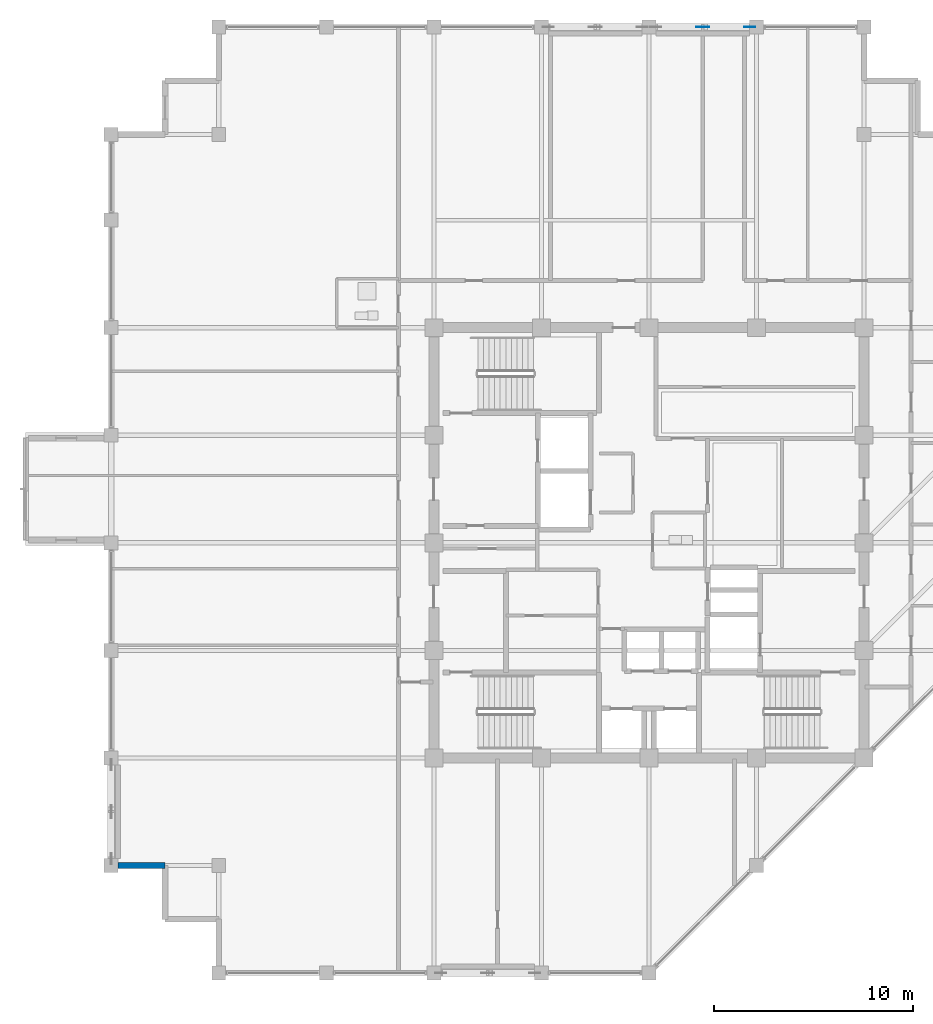
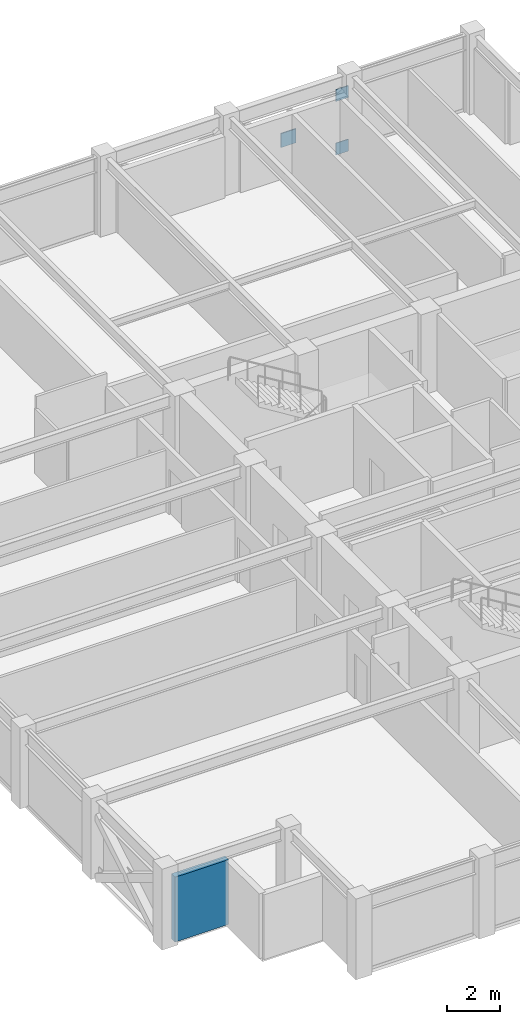
# One storey, part 24 of 31: 3 plates, 1 wall.
"""IFC4 building model written with IfcOpenShell, lengths in metres."""

from ifc_helpers import new_model, si_unit, direction, frame, frame_2d, origin, origin_2d, place, context, subcontext, project, spatial, rectangle, extrude, material, layer, layer_set, type_object, element, save


model = new_model("IFC4")

# Units and contexts
model_context = context("Model", 3, precision=1e-05, world=origin(), true_north=direction((0.0, 1.0)))
body_context = subcontext(model_context, "Body", "Model", "MODEL_VIEW")
ifc_project = project(units=[si_unit("LENGTHUNIT", "METRE"), si_unit("AREAUNIT", "SQUARE_METRE"), si_unit("VOLUMEUNIT", "CUBIC_METRE"), si_unit("PLANEANGLEUNIT", "RADIAN"), si_unit("MASSUNIT", "GRAM", prefix="KILO")], contexts=[model_context])

# Site, building, storey
site_placement = place(None, origin())
site = spatial("IfcSite", under=ifc_project, at=site_placement, CompositionType="ELEMENT")
building_placement = place(site_placement, origin())
building = spatial("IfcBuilding", under=site, at=building_placement, Name="Surkhivell Harbour Commons", CompositionType="ELEMENT")
storey_placement = place(building_placement, frame((0.0, 0.0, 318.75)))
storey = spatial("IfcBuildingStorey", under=building, at=storey_placement, Name="L83", CompositionType="ELEMENT", Elevation=318.75)

# Plates
ifc_material_1 = material(Name="Steel S460", Category="steel")
ifc_layer_1 = layer(ifc_material_1, 0.035888671875)
ifc_layer_set_1 = layer_set([ifc_layer_1], Name="Steel S460")
plate_type_1 = type_object("IfcPlateType", Name="PLT-GUS-550", PredefinedType="USERDEFINED", material=ifc_layer_set_1)
for number, where, z_axis, x_axis, name in (
    (1, (5.06494140625, 25.89990234375, -0.07470703125), (0.0, 0.0, 1.0), (1.0, 0.0, 0.0), "L83 Perimeter Mega-Brace MB- Corner Gusset N2-2"),
    (2, (5.06494140625, 25.89990234375, 2.41357421875), (0.0, 0.0, 1.0), (1.0, 0.0, 0.0), "L83 Perimeter Mega-Brace MB- Corner Gusset N2-4"),
):
    element("IfcPlate", number, at=place(storey_placement, frame(where, z_axis=z_axis, x_axis=x_axis)), inside=storey, type_object=plate_type_1, Name=name, ObjectType="GUSSET_PLATE", PredefinedType="USERDEFINED", context=body_context, shape_type="SweptSolid", body=[
        extrude(rectangle(XDim=0.550048828125, YDim=0.035888671875, at=origin_2d()), origin(), (0.0, 0.0, 1.0), 0.550048828125),
    ])
ifc_layer_2 = layer(ifc_material_1, 0.044921875)
ifc_layer_set_2 = layer_set([ifc_layer_2], Name="Steel S460")
plate_type_2 = type_object("IfcPlateType", Name="PLT-GUS-650", PredefinedType="USERDEFINED", material=ifc_layer_set_2)
plate_placement = place(storey_placement, frame((2.699951171875, 25.89990234375, 1.11962890625), z_axis=(0.0, 0.0, 1.0), x_axis=(1.0, 0.0, 0.0)))
element("IfcPlate", 3, at=plate_placement, inside=storey, type_object=plate_type_2, Name="L83 Perimeter Mega-Brace MB- Central Crossing Gusset N2", ObjectType="GUSSET_PLATE", PredefinedType="USERDEFINED", context=body_context, shape_type="SweptSolid", body=[
    extrude(rectangle(XDim=0.64990234375, YDim=0.044921875, at=origin_2d()), origin(), (0.0, 0.0, 1.0), 0.64990234375),
])

# Wall
ifc_material_2 = material(Name="Terracotta-clad reinforced concrete C45/55", Category="masonry")
ifc_layer_3 = layer(ifc_material_2, 0.280029296875)
ifc_layer_set_3 = layer_set([ifc_layer_3], Name="Terracotta-clad reinforced concrete C45/55")
wall_type = type_object("IfcWallType", Name="WAL-EXT-TER280", PredefinedType="STANDARD", material=ifc_layer_set_3)
wall_placement = place(storey_placement, frame((-26.652099609375, -16.199951171875, 0.0), z_axis=(0.0, 0.0, 1.0), x_axis=(1.0, 0.0, 0.0)))
element("IfcWall", 4, at=wall_placement, inside=storey, type_object=wall_type, Name="L83 Serrated Corner Facade Wall 13", PredefinedType="STANDARD", context=body_context, shape_type="SweptSolid", body=[
    extrude(rectangle(XDim=2.35205078125, YDim=0.280029296875, at=frame_2d((1.176025390625, 0.0))), origin(), (0.0, 0.0, 1.0), 3.012939453125),
])

save(model, "model.ifc")
